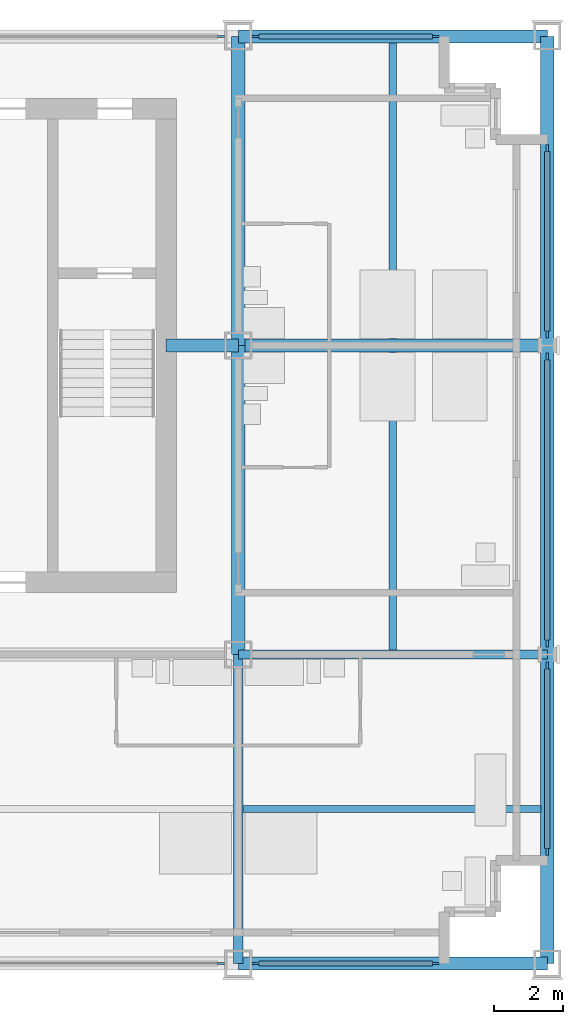
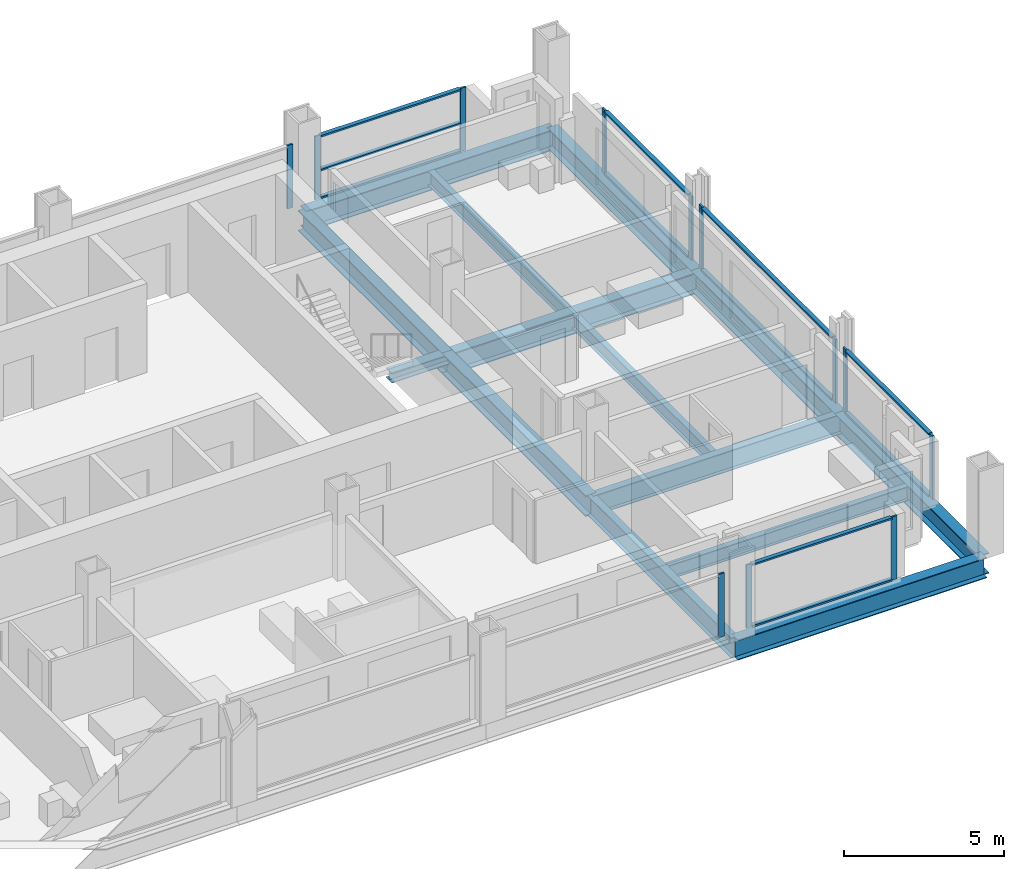
# One storey, part 5 of 13: 24 members, 13 beams, 7 elements without a shape of their own.
"""IFC4 building model written with IfcOpenShell, lengths in metres."""

import ifcopenshell
import ifcopenshell.guid

model = None  # the IFC model being written
_history = None  # IfcOwnerHistory: only IFC2X3 demands one
_inside = {}  # id of a spatial element -> (the spatial element, [elements in it])
_under = {}  # id of a project, library or spatial element -> (it, [spatial elements below it])
_declared = {}  # id of a project -> (the project, [libraries it declares])
_typed = {}  # id of a type object -> (the type object, [elements of that type])
_made_of = {}  # id of a material, layer set ... -> (it, [elements and type objects made of it])


def new_model(schema):
    """Start an empty IFC model of exactly this schema.

    Asked for "IFC4X3", IfcOpenShell would pick the latest addendum, in which some entities
    have other attributes; the version numbers below select the first issue.
    IFC2X3 requires an IfcOwnerHistory on every rooted entity: one is made here for all.
    """
    global model, _history
    if schema == "IFC4X3":
        model = ifcopenshell.file(schema_version=(4, 3, 0, 0))
    else:
        model = ifcopenshell.file(schema=schema)
    _inside.clear()
    _under.clear()
    _declared.clear()
    _typed.clear()
    _made_of.clear()
    _history = None
    if model.schema == "IFC2X3":
        org = make("IfcOrganization", Name="unknown")
        user = make(
            "IfcPersonAndOrganization",
            ThePerson=make("IfcPerson", FamilyName="unknown"),
            TheOrganization=org,
        )
        app = make(
            "IfcApplication",
            ApplicationDeveloper=org,
            Version="unknown",
            ApplicationFullName="unknown",
            ApplicationIdentifier="unknown",
        )
        _history = make(
            "IfcOwnerHistory",
            OwningUser=user,
            OwningApplication=app,
            ChangeAction="ADDED",
            CreationDate=0,
        )
    return model


def make(cls, **values):
    """One entity of the class cls with the attributes given. An attribute that is None is left unset."""
    return model.create_entity(
        cls, **{name: value for name, value in values.items() if value is not None}
    )


def rooted(cls, **values):
    """An entity with a GlobalId (a new one), such as an element, a storey or a relation."""
    return make(cls, GlobalId=ifcopenshell.guid.new(), OwnerHistory=_history, **values)


def si_unit(unit_type, name, prefix=None):
    """IfcSIUnit, for example si_unit("LENGTHUNIT", "METRE", prefix="MILLI")."""
    return make("IfcSIUnit", UnitType=unit_type, Prefix=prefix, Name=name)


def assignment(units):
    """IfcUnitAssignment: the units of a project."""
    return None if units is None else make("IfcUnitAssignment", Units=units)


def point(xyz):
    """IfcCartesianPoint."""
    return None if xyz is None else make("IfcCartesianPoint", Coordinates=xyz)


def direction(xyz):
    """IfcDirection."""
    return None if xyz is None else make("IfcDirection", DirectionRatios=xyz)


def frame(location, z_axis=None, x_axis=None):
    """IfcAxis2Placement3D, a coordinate frame: its origin and axes. An axis left out is left unset."""
    return make(
        "IfcAxis2Placement3D",
        Location=point(location),
        Axis=direction(z_axis),
        RefDirection=direction(x_axis),
    )


def frame_2d(location, x_axis=None):
    """IfcAxis2Placement2D, a coordinate frame in the plane: its origin and x axis."""
    return make(
        "IfcAxis2Placement2D", Location=point(location), RefDirection=direction(x_axis)
    )


def origin():
    """The frame at (0, 0, 0) with its axes left unset."""
    return frame((0.0, 0.0, 0.0))


def origin_2d():
    """The frame at (0, 0) in the plane with its x axis left unset."""
    return frame_2d((0.0, 0.0))


def place(relative_to, where):
    """IfcLocalPlacement: puts the frame where relative to a parent placement (None: the world)."""
    return make(
        "IfcLocalPlacement", PlacementRelTo=relative_to, RelativePlacement=where
    )


def context(
    kind, dimensions, precision=None, world=None, true_north=None, identifier=None
):
    """IfcGeometricRepresentationContext, for example the 3D "Model" context."""
    return make(
        "IfcGeometricRepresentationContext",
        ContextIdentifier=identifier,
        ContextType=kind,
        CoordinateSpaceDimension=dimensions,
        Precision=precision,
        WorldCoordinateSystem=world,
        TrueNorth=true_north,
    )


def subcontext(parent, identifier, kind, view, scale=None):
    """IfcGeometricRepresentationSubContext, for example "Body" below "Model"."""
    return make(
        "IfcGeometricRepresentationSubContext",
        ContextIdentifier=identifier,
        ContextType=kind,
        ParentContext=parent,
        TargetScale=scale,
        TargetView=view,
    )


def project(units=None, contexts=None):
    """IfcProject with its units and contexts."""
    return rooted(
        "IfcProject",
        Name="project",
        RepresentationContexts=contexts,
        UnitsInContext=assignment(units),
    )


def spatial(cls, under=None, at=None, **own):
    """A site, building, storey or space (cls), placed at a placement, below another one or the project."""
    s = rooted(cls, ObjectPlacement=at, **own)
    if under is not None:
        _under.setdefault(under.id(), (under, []))[1].append(s)
    return s


def profile(cls, at=None, kind="AREA", **sizes):
    """A parametric profile (cls). Its sizes go by their IFC names, for example OverallWidth=200.0."""
    return make(cls, ProfileType=kind, Position=at, **sizes)


def rectangle(**sizes):
    """IfcRectangleProfileDef."""
    return profile("IfcRectangleProfileDef", **sizes)


def i_section(**sizes):
    """IfcIShapeProfileDef."""
    return profile("IfcIShapeProfileDef", **sizes)


def extrude(swept, where, along, depth):
    """IfcExtrudedAreaSolid: the profile swept, set in the frame where, extruded along a direction by depth."""
    return make(
        "IfcExtrudedAreaSolid",
        SweptArea=swept,
        Position=where,
        ExtrudedDirection=direction(along),
        Depth=depth,
    )


def shape(context_of_items, identifier, shape_type, items):
    """IfcShapeRepresentation: the items that make up one representation, for example the "Body"."""
    return make(
        "IfcShapeRepresentation",
        ContextOfItems=context_of_items,
        RepresentationIdentifier=identifier,
        RepresentationType=shape_type,
        Items=items,
    )


def material(Name=None, Category=None):
    """IfcMaterial."""
    return make("IfcMaterial", Name=Name, Category=Category)


def material_profile(
    of_material, cross_section, Name=None, Category=None, Priority=None
):
    """IfcMaterialProfile: a cross section and its material."""
    return make(
        "IfcMaterialProfile",
        Name=Name,
        Material=of_material,
        Profile=cross_section,
        Priority=Priority,
        Category=Category,
    )


def profile_set(profiles, Name=None, composite=None):
    """IfcMaterialProfileSet."""
    return make(
        "IfcMaterialProfileSet",
        Name=Name,
        MaterialProfiles=profiles,
        CompositeProfile=composite,
    )


def made_of(thing, what):
    """Note that an element or type object is made of a material, layer set ...; save() writes the relation."""
    if what is not None:
        _made_of.setdefault(what.id(), (what, []))[1].append(thing)
    return thing


def type_object(cls, material=None, **own):
    """A type object (cls), such as IfcWallType, which elements share."""
    return made_of(rooted(cls, **own), material)


def element(
    cls,
    number,
    at=None,
    inside=None,
    cuts=None,
    type_object=None,
    material=None,
    context=None,
    identifier="Body",
    shape_type=None,
    held_by="IfcProductDefinitionShape",
    body=None,
    shapes=None,
    **own,
):
    """One element of the class cls, such as IfcWall. Its Tag is "e" and its number.

    at: its placement. inside: the storey or other place that contains it. cuts: it is an
    opening in that element (IfcRelVoidsElement). A single representation is given by context,
    identifier, shape_type and body (its items); several are given by shapes. held_by: the class
    of the entity that holds the representations. save() writes the other relations.
    """
    e = rooted(cls, Tag="e%d" % number, ObjectPlacement=at, **own)
    if body is not None:
        shapes = [shape(context, identifier, shape_type, body)]
    if shapes is not None:
        e.Representation = make(held_by, Representations=shapes)
    if inside is not None:
        _inside.setdefault(inside.id(), (inside, []))[1].append(e)
    if cuts is not None:
        rooted(
            "IfcRelVoidsElement", RelatingBuildingElement=cuts, RelatedOpeningElement=e
        )
    if type_object is not None:
        _typed.setdefault(type_object.id(), (type_object, []))[1].append(e)
    return made_of(e, material)


def aggregate(whole, parts):
    """IfcRelAggregates: a whole, such as a stair, and the parts it consists of."""
    return rooted("IfcRelAggregates", RelatingObject=whole, RelatedObjects=parts)


def save(model, path):
    """Write the relations noted so far, then the file.

    IfcRelAggregates (storeys below a building ...), IfcRelContainedInSpatialStructure (elements
    in a storey), IfcRelDefinesByType, IfcRelAssociatesMaterial and IfcRelDeclares: one each for
    every whole, place, type object, material and project.
    """
    for whole, parts in _under.values():
        aggregate(whole, parts)
    for where, things in _inside.values():
        rooted(
            "IfcRelContainedInSpatialStructure",
            RelatedElements=things,
            RelatingStructure=where,
        )
    for kind, things in _typed.values():
        rooted("IfcRelDefinesByType", RelatedObjects=things, RelatingType=kind)
    for what, things in _made_of.values():
        rooted("IfcRelAssociatesMaterial", RelatedObjects=things, RelatingMaterial=what)
    for by, libraries in _declared.values():
        rooted("IfcRelDeclares", RelatingContext=by, RelatedDefinitions=libraries)
    model.write(path)


model = new_model("IFC4")

# Units and contexts
model_context = context("Model", 3, precision=1e-05, world=origin(), true_north=direction((0.0, 1.0)))
body_context = subcontext(model_context, "Body", "Model", "MODEL_VIEW")
ifc_project = project(units=[si_unit("LENGTHUNIT", "METRE"), si_unit("AREAUNIT", "SQUARE_METRE"), si_unit("VOLUMEUNIT", "CUBIC_METRE"), si_unit("PLANEANGLEUNIT", "RADIAN"), si_unit("MASSUNIT", "GRAM", prefix="KILO")], contexts=[model_context])

# Site, building, storey
site_placement = place(None, origin())
site = spatial("IfcSite", under=ifc_project, at=site_placement, CompositionType="ELEMENT")
building_placement = place(site_placement, origin())
building = spatial("IfcBuilding", under=site, at=building_placement, Name="Loomwork Tower", CompositionType="ELEMENT")
storey_placement = place(building_placement, frame((0.0, 0.0, 184.199951171875)))
storey = spatial("IfcBuildingStorey", under=building, at=storey_placement, Name="L50", CompositionType="ELEMENT", Elevation=184.199951171875)

# Beams
ifc_material_1 = material(Name="Steel ASTM A992", Category="steel")
ifc_material_profile_1 = material_profile(ifc_material_1, i_section(OverallWidth=0.383544921875, OverallDepth=0.794921875, WebThickness=0.02099609375, FlangeThickness=0.0380859375, at=origin_2d()), Name="W30x235")
ifc_profile_set_1 = profile_set([ifc_material_profile_1], Name="Steel ASTM A992")
beam_type_1 = type_object("IfcBeamType", Name="CORE FLANK GIRDER W30x235", PredefinedType="BEAM", material=ifc_profile_set_1)
for number, where, z_axis, x_axis, name in (
    (1, (36.0, 18.0, -0.597412109375), (1.0, 0.0, 0.0), (0.0, 1.0, 0.0), "Core Flank Girder F/6-F/7 L50"),
    (2, (36.0, 9.0, -0.597412109375), (0.0, 1.0, 0.0), (-1.0, 0.0, 0.0), "Core Flank Girder E/6-F/6 L50"),
    (3, (36.0, 18.0, -0.597412109375), (0.0, 1.0, 0.0), (-1.0, 0.0, 0.0), "Core Flank Girder F/6-G/6 L50"),
):
    element("IfcBeam", number, at=place(storey_placement, frame(where, z_axis=z_axis, x_axis=x_axis)), inside=storey, type_object=beam_type_1, Name=name, PredefinedType="BEAM", context=body_context, shape_type="SweptSolid", body=[
        extrude(i_section(OverallWidth=0.383544921875, OverallDepth=0.794921875, WebThickness=0.02099609375, FlangeThickness=0.0380859375, at=origin_2d()), origin(), (0.0, 0.0, 1.0), 9.0),
    ])

# Member
ifc_material_2 = material(Name="Steel ASTM A992", Category="steel")
ifc_material_profile_2 = material_profile(ifc_material_2, i_section(OverallWidth=0.373291015625, OverallDepth=0.373291015625, WebThickness=0.016357421875, FlangeThickness=0.026123046875, at=origin_2d()), Name="W14x132")
ifc_profile_set_2 = profile_set([ifc_material_profile_2], Name="Steel ASTM A992")
member_type_1 = type_object("IfcMemberType", Name="CORE LINK STRUT W14x132", PredefinedType="STRUT", material=ifc_profile_set_2)
member_1_placement = place(storey_placement, frame((36.0, 18.0, -0.38671875), z_axis=(-1.0, 0.0, 0.0), x_axis=(0.0, -1.0, 0.0)))
element("IfcMember", 4, at=member_1_placement, inside=storey, type_object=member_type_1, Name="Core link strut F/6-33.900,18.000 L50", PredefinedType="STRUT", context=body_context, shape_type="SweptSolid", body=[
    extrude(i_section(OverallWidth=0.373291015625, OverallDepth=0.373291015625, WebThickness=0.016357421875, FlangeThickness=0.026123046875, at=origin_2d()), origin(), (0.0, 0.0, 1.0), 2.10009765625),
])

# Beams
ifc_material_3 = material(Name="Steel ASTM A992", Category="steel")
ifc_material_profile_3 = material_profile(ifc_material_3, i_section(OverallWidth=0.2666015625, OverallDepth=0.761962890625, WebThickness=0.014404296875, FlangeThickness=0.021484375, at=origin_2d()), Name="W30x116")
ifc_profile_set_3 = profile_set([ifc_material_profile_3], Name="Steel ASTM A992")
beam_type_2 = type_object("IfcBeamType", Name="FLOOR GIRDER W30x116", PredefinedType="BEAM", material=ifc_profile_set_3)
for number, where, z_axis, x_axis, name in (
    (5, (36.0, 9.0, -0.5810546875), (1.0, 0.0, 0.0), (0.0, 1.0, 0.0), "Floor Girder E/6-E/7 L50"),
    (6, (36.0, 0.0, -0.5810546875), (0.0, 1.0, 0.0), (-1.0, 0.0, 0.0), "Floor Girder D/6-E/6 L50"),
):
    element("IfcBeam", number, at=place(storey_placement, frame(where, z_axis=z_axis, x_axis=x_axis)), inside=storey, type_object=beam_type_2, Name=name, PredefinedType="BEAM", context=body_context, shape_type="SweptSolid", body=[
        extrude(i_section(OverallWidth=0.2666015625, OverallDepth=0.761962890625, WebThickness=0.014404296875, FlangeThickness=0.021484375, at=origin_2d()), origin(), (0.0, 0.0, 1.0), 9.0),
    ])
ifc_material_4 = material(Name="Steel ASTM A992", Category="steel")
ifc_material_profile_4 = material_profile(ifc_material_4, i_section(OverallWidth=0.2109375, OverallDepth=0.53857421875, WebThickness=0.011474609375, FlangeThickness=0.018798828125, at=origin_2d()), Name="W21x73")
ifc_profile_set_4 = profile_set([ifc_material_profile_4], Name="Steel ASTM A992")
beam_type_3 = type_object("IfcBeamType", Name="FLOOR JOIST W21x73", PredefinedType="JOIST", material=ifc_profile_set_4)
beam_1_placement = place(storey_placement, frame((36.133056640625, 4.5, -0.46923828125), z_axis=(1.0, 0.0, 0.0), x_axis=(0.0, 1.0, 0.0)))
element("IfcBeam", 7, at=beam_1_placement, inside=storey, type_object=beam_type_3, Name="Floor Joist 36.000,4.500-45.000,4.500 L50", PredefinedType="JOIST", context=body_context, shape_type="SweptSolid", body=[
    extrude(i_section(OverallWidth=0.2109375, OverallDepth=0.53857421875, WebThickness=0.011474609375, FlangeThickness=0.018798828125, at=origin_2d()), origin(), (0.0, 0.0, 1.0), 8.677001953125),
])
beam_2_placement = place(storey_placement, frame((40.5, 9.133056640625, -0.46923828125), z_axis=(0.0, 1.0, 0.0), x_axis=(-1.0, 0.0, 0.0)))
element("IfcBeam", 8, at=beam_2_placement, inside=storey, type_object=beam_type_3, Name="Floor Joist 40.500,9.000-40.500,18.000 L50", PredefinedType="JOIST", context=body_context, shape_type="SweptSolid", body=[
    extrude(i_section(OverallWidth=0.2109375, OverallDepth=0.53857421875, WebThickness=0.011474609375, FlangeThickness=0.018798828125, at=origin_2d()), origin(), (0.0, 0.0, 1.0), 8.676025390625),
])
beam_3_placement = place(storey_placement, frame((40.5, 18.19091796875, -0.46923828125), z_axis=(0.0, 1.0, 0.0), x_axis=(-1.0, 0.0, 0.0)))
element("IfcBeam", 9, at=beam_3_placement, inside=storey, type_object=beam_type_3, Name="Floor Joist 40.500,18.000-40.500,27.000 L50", PredefinedType="JOIST", context=body_context, shape_type="SweptSolid", body=[
    extrude(i_section(OverallWidth=0.2109375, OverallDepth=0.53857421875, WebThickness=0.011474609375, FlangeThickness=0.018798828125, at=origin_2d()), origin(), (0.0, 0.0, 1.0), 8.619140625),
])

# Curtain wall, member
ifc_material_5 = material(Name="Aluminium curtain wall frame", Category="aluminium")
curtain_wall_type_1 = type_object("IfcCurtainWallType", Name="Outer skin glazing hotel", PredefinedType="NOTDEFINED", material=ifc_material_5)
curtain_wall_1_placement = place(storey_placement, origin())
curtain_wall_1 = element("IfcCurtainWall", 10, at=curtain_wall_1_placement, inside=storey, type_object=curtain_wall_type_1, Name="Outer skin glazing hotel cw/S-27", PredefinedType="NOTDEFINED")
ifc_material_6 = material(Name="Aluminium curtain wall frame", Category="aluminium")
ifc_material_profile_5 = material_profile(ifc_material_6, rectangle(XDim=0.06494140625, YDim=0.199951171875, at=origin_2d()), Name="AL 65x200")
ifc_profile_set_5 = profile_set([ifc_material_profile_5], Name="Aluminium curtain wall frame")
member_type_2 = type_object("IfcMemberType", Name="Outer skin glazing hotel mullion", PredefinedType="MULLION", material=ifc_profile_set_5)
member_2_placement = place(storey_placement, frame((35.5, 0.0, 0.0), z_axis=(0.0, 0.0, 1.0), x_axis=(0.0, 1.0, 0.0)))
member_2 = element("IfcMember", 11, at=member_2_placement, type_object=member_type_2, Name="CW1 mullion 2", PredefinedType="MULLION", context=body_context, shape_type="SweptSolid", body=[
    extrude(rectangle(XDim=0.06494140625, YDim=0.199951171875, at=origin_2d()), origin(), (0.0, 0.0, 1.0), 2.420166015625),
])
aggregate(curtain_wall_1, [member_2])

# Curtain wall, members
curtain_wall_2_placement = place(storey_placement, origin())
curtain_wall_2 = element("IfcCurtainWall", 12, at=curtain_wall_2_placement, inside=storey, type_object=curtain_wall_type_1, Name="Outer skin glazing hotel cw/S-36", PredefinedType="NOTDEFINED")
member_3_placement = place(storey_placement, frame((36.5, 0.0, 0.0), z_axis=(0.0, 0.0, 1.0), x_axis=(0.0, 1.0, 0.0)))
member_3 = element("IfcMember", 13, at=member_3_placement, type_object=member_type_2, Name="CW1 mullion 1", PredefinedType="MULLION", context=body_context, shape_type="SweptSolid", body=[
    extrude(rectangle(XDim=0.06494140625, YDim=0.199951171875, at=origin_2d()), origin(), (0.0, 0.0, 1.0), 2.420166015625),
])
member_4_placement = place(storey_placement, frame((41.75, 0.0, 0.0), z_axis=(0.0, 0.0, 1.0), x_axis=(0.0, 1.0, 0.0)))
member_4 = element("IfcMember", 14, at=member_4_placement, type_object=member_type_2, Name="CW1 mullion 2", PredefinedType="MULLION", context=body_context, shape_type="SweptSolid", body=[
    extrude(rectangle(XDim=0.06494140625, YDim=0.199951171875, at=origin_2d()), origin(), (0.0, 0.0, 1.0), 2.420166015625),
])

curtain_wall_3_placement = place(storey_placement, origin())
curtain_wall_3 = element("IfcCurtainWall", 15, at=curtain_wall_3_placement, inside=storey, type_object=curtain_wall_type_1, Name="Outer skin glazing hotel cw/E-0", PredefinedType="NOTDEFINED")
member_5_placement = place(storey_placement, frame((45.0, 3.25, 0.0), z_axis=(0.0, 0.0, 1.0), x_axis=(-1.0, 0.0, 0.0)))
member_5 = element("IfcMember", 16, at=member_5_placement, type_object=member_type_2, Name="CW1 mullion 1", PredefinedType="MULLION", context=body_context, shape_type="SweptSolid", body=[
    extrude(rectangle(XDim=0.06494140625, YDim=0.199951171875, at=origin_2d()), origin(), (0.0, 0.0, 1.0), 2.420166015625),
])
member_6_placement = place(storey_placement, frame((45.0, 8.67529296875, 0.0), z_axis=(0.0, 0.0, 1.0), x_axis=(-1.0, 0.0, 0.0)))
member_6 = element("IfcMember", 17, at=member_6_placement, type_object=member_type_2, Name="CW1 mullion 2", PredefinedType="MULLION", context=body_context, shape_type="SweptSolid", body=[
    extrude(rectangle(XDim=0.06494140625, YDim=0.199951171875, at=origin_2d()), origin(), (0.0, 0.0, 1.0), 2.420166015625),
])

curtain_wall_4_placement = place(storey_placement, origin())
curtain_wall_4 = element("IfcCurtainWall", 18, at=curtain_wall_4_placement, inside=storey, type_object=curtain_wall_type_1, Name="Outer skin glazing hotel cw/E-9", PredefinedType="NOTDEFINED")
member_7_placement = place(storey_placement, frame((45.0, 9.32470703125, 0.0), z_axis=(0.0, 0.0, 1.0), x_axis=(-1.0, 0.0, 0.0)))
member_7 = element("IfcMember", 19, at=member_7_placement, type_object=member_type_2, Name="CW1 mullion 1", PredefinedType="MULLION", context=body_context, shape_type="SweptSolid", body=[
    extrude(rectangle(XDim=0.06494140625, YDim=0.199951171875, at=origin_2d()), origin(), (0.0, 0.0, 1.0), 2.420166015625),
])
member_8_placement = place(storey_placement, frame((45.0, 17.67529296875, 0.0), z_axis=(0.0, 0.0, 1.0), x_axis=(-1.0, 0.0, 0.0)))
member_8 = element("IfcMember", 20, at=member_8_placement, type_object=member_type_2, Name="CW1 mullion 2", PredefinedType="MULLION", context=body_context, shape_type="SweptSolid", body=[
    extrude(rectangle(XDim=0.06494140625, YDim=0.199951171875, at=origin_2d()), origin(), (0.0, 0.0, 1.0), 2.420166015625),
])

curtain_wall_5_placement = place(storey_placement, origin())
curtain_wall_5 = element("IfcCurtainWall", 21, at=curtain_wall_5_placement, inside=storey, type_object=curtain_wall_type_1, Name="Outer skin glazing hotel cw/E-18", PredefinedType="NOTDEFINED")
member_9_placement = place(storey_placement, frame((45.0, 18.32470703125, 0.0), z_axis=(0.0, 0.0, 1.0), x_axis=(-1.0, 0.0, 0.0)))
member_9 = element("IfcMember", 22, at=member_9_placement, type_object=member_type_2, Name="CW1 mullion 1", PredefinedType="MULLION", context=body_context, shape_type="SweptSolid", body=[
    extrude(rectangle(XDim=0.06494140625, YDim=0.199951171875, at=origin_2d()), origin(), (0.0, 0.0, 1.0), 2.420166015625),
])
member_10_placement = place(storey_placement, frame((45.0, 23.75, 0.0), z_axis=(0.0, 0.0, 1.0), x_axis=(-1.0, 0.0, 0.0)))
member_10 = element("IfcMember", 23, at=member_10_placement, type_object=member_type_2, Name="CW1 mullion 2", PredefinedType="MULLION", context=body_context, shape_type="SweptSolid", body=[
    extrude(rectangle(XDim=0.06494140625, YDim=0.199951171875, at=origin_2d()), origin(), (0.0, 0.0, 1.0), 2.420166015625),
])

# Member
ifc_material_7 = material(Name="Aluminium curtain wall frame", Category="aluminium")
ifc_material_profile_6 = material_profile(ifc_material_7, rectangle(XDim=0.14990234375, YDim=0.06494140625, at=origin_2d()), Name="AL 65x150")
ifc_profile_set_6 = profile_set([ifc_material_profile_6], Name="Aluminium curtain wall frame")
member_type_3 = type_object("IfcMemberType", Name="Outer skin glazing hotel transom", PredefinedType="USERDEFINED", material=ifc_profile_set_6)
member_11_placement = place(storey_placement, frame((36.60009765625, 0.0, 0.032470703125), z_axis=(1.0, 0.0, 0.0), x_axis=(0.0, 1.0, 0.0)))
member_11 = element("IfcMember", 24, at=member_11_placement, type_object=member_type_3, Name="CW1 transom 1.1", ObjectType="TRANSOM", PredefinedType="USERDEFINED", context=body_context, shape_type="SweptSolid", body=[
    extrude(rectangle(XDim=0.14990234375, YDim=0.06494140625, at=origin_2d()), origin(), (0.0, 0.0, 1.0), 5.0498046875),
])

member_12_placement = place(storey_placement, frame((36.60009765625, 0.0, 2.3876953125), z_axis=(1.0, 0.0, 0.0), x_axis=(0.0, 1.0, 0.0)))
member_12 = element("IfcMember", 25, at=member_12_placement, type_object=member_type_3, Name="CW1 transom 1.2", ObjectType="TRANSOM", PredefinedType="USERDEFINED", context=body_context, shape_type="SweptSolid", body=[
    extrude(rectangle(XDim=0.14990234375, YDim=0.06494140625, at=origin_2d()), origin(), (0.0, 0.0, 1.0), 5.0498046875),
])

aggregate(curtain_wall_2, [member_3, member_4, member_11, member_12])

member_13_placement = place(storey_placement, frame((45.0, 3.35009765625, 0.032470703125), z_axis=(0.0, 1.0, 0.0), x_axis=(-1.0, 0.0, 0.0)))
member_13 = element("IfcMember", 26, at=member_13_placement, type_object=member_type_3, Name="CW1 transom 1.1", ObjectType="TRANSOM", PredefinedType="USERDEFINED", context=body_context, shape_type="SweptSolid", body=[
    extrude(rectangle(XDim=0.14990234375, YDim=0.06494140625, at=origin_2d()), origin(), (0.0, 0.0, 1.0), 5.22509765625),
])

member_14_placement = place(storey_placement, frame((45.0, 3.35009765625, 2.3876953125), z_axis=(0.0, 1.0, 0.0), x_axis=(-1.0, 0.0, 0.0)))
member_14 = element("IfcMember", 27, at=member_14_placement, type_object=member_type_3, Name="CW1 transom 1.2", ObjectType="TRANSOM", PredefinedType="USERDEFINED", context=body_context, shape_type="SweptSolid", body=[
    extrude(rectangle(XDim=0.14990234375, YDim=0.06494140625, at=origin_2d()), origin(), (0.0, 0.0, 1.0), 5.22509765625),
])

aggregate(curtain_wall_3, [member_5, member_6, member_13, member_14])

member_15_placement = place(storey_placement, frame((45.0, 9.4248046875, 0.032470703125), z_axis=(0.0, 1.0, 0.0), x_axis=(-1.0, 0.0, 0.0)))
member_15 = element("IfcMember", 28, at=member_15_placement, type_object=member_type_3, Name="CW1 transom 1.1", ObjectType="TRANSOM", PredefinedType="USERDEFINED", context=body_context, shape_type="SweptSolid", body=[
    extrude(rectangle(XDim=0.14990234375, YDim=0.06494140625, at=origin_2d()), origin(), (0.0, 0.0, 1.0), 8.150390625),
])

member_16_placement = place(storey_placement, frame((45.0, 9.4248046875, 2.3876953125), z_axis=(0.0, 1.0, 0.0), x_axis=(-1.0, 0.0, 0.0)))
member_16 = element("IfcMember", 29, at=member_16_placement, type_object=member_type_3, Name="CW1 transom 1.2", ObjectType="TRANSOM", PredefinedType="USERDEFINED", context=body_context, shape_type="SweptSolid", body=[
    extrude(rectangle(XDim=0.14990234375, YDim=0.06494140625, at=origin_2d()), origin(), (0.0, 0.0, 1.0), 8.150390625),
])

aggregate(curtain_wall_4, [member_7, member_8, member_15, member_16])

member_17_placement = place(storey_placement, frame((45.0, 18.4248046875, 0.032470703125), z_axis=(0.0, 1.0, 0.0), x_axis=(-1.0, 0.0, 0.0)))
member_17 = element("IfcMember", 30, at=member_17_placement, type_object=member_type_3, Name="CW1 transom 1.1", ObjectType="TRANSOM", PredefinedType="USERDEFINED", context=body_context, shape_type="SweptSolid", body=[
    extrude(rectangle(XDim=0.14990234375, YDim=0.06494140625, at=origin_2d()), origin(), (0.0, 0.0, 1.0), 5.22509765625),
])

member_18_placement = place(storey_placement, frame((45.0, 18.4248046875, 2.3876953125), z_axis=(0.0, 1.0, 0.0), x_axis=(-1.0, 0.0, 0.0)))
member_18 = element("IfcMember", 31, at=member_18_placement, type_object=member_type_3, Name="CW1 transom 1.2", ObjectType="TRANSOM", PredefinedType="USERDEFINED", context=body_context, shape_type="SweptSolid", body=[
    extrude(rectangle(XDim=0.14990234375, YDim=0.06494140625, at=origin_2d()), origin(), (0.0, 0.0, 1.0), 5.22509765625),
])

aggregate(curtain_wall_5, [member_9, member_10, member_17, member_18])

# Beams
ifc_material_8 = material(Name="Steel ASTM A992", Category="steel")
ifc_material_profile_7 = material_profile(ifc_material_8, i_section(OverallWidth=0.381103515625, OverallDepth=0.77978515625, WebThickness=0.01806640625, FlangeThickness=0.0302734375, at=origin_2d()), Name="W30x191")
ifc_profile_set_7 = profile_set([ifc_material_profile_7], Name="Steel ASTM A992")
beam_type_4 = type_object("IfcBeamType", Name="SPANDREL GIRDER W30x191", PredefinedType="SPANDREL", material=ifc_profile_set_7)
for number, where, z_axis, x_axis, name in (
    (32, (36.0, 0.0, -0.58984375), (1.0, 0.0, 0.0), (0.0, 1.0, 0.0), "Spandrel Girder D/6-D/7 L50"),
    (33, (36.0, 27.0, -0.58984375), (1.0, 0.0, 0.0), (0.0, 1.0, 0.0), "Spandrel Girder G/6-G/7 L50"),
    (34, (45.0, 0.0, -0.58984375), (0.0, 1.0, 0.0), (-1.0, 0.0, 0.0), "Spandrel Girder D/7-E/7 L50"),
    (35, (45.0, 9.0, -0.58984375), (0.0, 1.0, 0.0), (-1.0, 0.0, 0.0), "Spandrel Girder E/7-F/7 L50"),
    (36, (45.0, 18.0, -0.58984375), (0.0, 1.0, 0.0), (-1.0, 0.0, 0.0), "Spandrel Girder F/7-G/7 L50"),
):
    element("IfcBeam", number, at=place(storey_placement, frame(where, z_axis=z_axis, x_axis=x_axis)), inside=storey, type_object=beam_type_4, Name=name, PredefinedType="SPANDREL", context=body_context, shape_type="SweptSolid", body=[
        extrude(i_section(OverallWidth=0.381103515625, OverallDepth=0.77978515625, WebThickness=0.01806640625, FlangeThickness=0.0302734375, at=origin_2d()), origin(), (0.0, 0.0, 1.0), 9.0),
    ])

# Curtain wall, member
ifc_material_9 = material(Name="Aluminium curtain wall frame", Category="aluminium")
curtain_wall_type_2 = type_object("IfcCurtainWallType", Name="Single skin glazing corridor", PredefinedType="NOTDEFINED", material=ifc_material_9)
curtain_wall_6_placement = place(storey_placement, origin())
curtain_wall_6 = element("IfcCurtainWall", 37, at=curtain_wall_6_placement, inside=storey, type_object=curtain_wall_type_2, Name="Single skin glazing corridor cw/N-27", PredefinedType="NOTDEFINED")
ifc_material_10 = material(Name="Aluminium curtain wall frame", Category="aluminium")
ifc_material_profile_8 = material_profile(ifc_material_10, rectangle(XDim=0.06494140625, YDim=0.199951171875, at=origin_2d()), Name="AL 65x200")
ifc_profile_set_8 = profile_set([ifc_material_profile_8], Name="Aluminium curtain wall frame")
member_type_4 = type_object("IfcMemberType", Name="Single skin glazing corridor mullion", PredefinedType="MULLION", material=ifc_profile_set_8)
member_19_placement = place(storey_placement, frame((35.5, 27.0, 0.0), z_axis=(0.0, 0.0, 1.0), x_axis=(0.0, -1.0, 0.0)))
member_19 = element("IfcMember", 38, at=member_19_placement, type_object=member_type_4, Name="CW3 mullion 1", PredefinedType="MULLION", context=body_context, shape_type="SweptSolid", body=[
    extrude(rectangle(XDim=0.06494140625, YDim=0.199951171875, at=origin_2d()), origin(), (0.0, 0.0, 1.0), 2.420166015625),
])
aggregate(curtain_wall_6, [member_19])

# Curtain wall, members
curtain_wall_7_placement = place(storey_placement, origin())
curtain_wall_7 = element("IfcCurtainWall", 39, at=curtain_wall_7_placement, inside=storey, type_object=curtain_wall_type_2, Name="Single skin glazing corridor cw/N-36", PredefinedType="NOTDEFINED")
member_20_placement = place(storey_placement, frame((41.75, 27.0, 0.0), z_axis=(0.0, 0.0, 1.0), x_axis=(0.0, -1.0, 0.0)))
member_20 = element("IfcMember", 40, at=member_20_placement, type_object=member_type_4, Name="CW3 mullion 1", PredefinedType="MULLION", context=body_context, shape_type="SweptSolid", body=[
    extrude(rectangle(XDim=0.06494140625, YDim=0.199951171875, at=origin_2d()), origin(), (0.0, 0.0, 1.0), 2.420166015625),
])
member_21_placement = place(storey_placement, frame((36.5, 27.0, 0.0), z_axis=(0.0, 0.0, 1.0), x_axis=(0.0, -1.0, 0.0)))
member_21 = element("IfcMember", 41, at=member_21_placement, type_object=member_type_4, Name="CW3 mullion 2", PredefinedType="MULLION", context=body_context, shape_type="SweptSolid", body=[
    extrude(rectangle(XDim=0.06494140625, YDim=0.199951171875, at=origin_2d()), origin(), (0.0, 0.0, 1.0), 2.420166015625),
])
ifc_material_11 = material(Name="Aluminium curtain wall frame", Category="aluminium")
ifc_material_profile_9 = material_profile(ifc_material_11, rectangle(XDim=0.14990234375, YDim=0.06494140625, at=origin_2d()), Name="AL 65x150")
ifc_profile_set_9 = profile_set([ifc_material_profile_9], Name="Aluminium curtain wall frame")
member_type_5 = type_object("IfcMemberType", Name="Single skin glazing corridor transom", PredefinedType="USERDEFINED", material=ifc_profile_set_9)
member_22_placement = place(storey_placement, frame((41.64990234375, 27.0, 0.032470703125), z_axis=(-1.0, 0.0, 0.0), x_axis=(0.0, -1.0, 0.0)))
member_22 = element("IfcMember", 42, at=member_22_placement, type_object=member_type_5, Name="CW3 transom 1.1", ObjectType="TRANSOM", PredefinedType="USERDEFINED", context=body_context, shape_type="SweptSolid", body=[
    extrude(rectangle(XDim=0.14990234375, YDim=0.06494140625, at=origin_2d()), origin(), (0.0, 0.0, 1.0), 5.0498046875),
])
member_23_placement = place(storey_placement, frame((41.64990234375, 27.0, 1.10009765625), z_axis=(-1.0, 0.0, 0.0), x_axis=(0.0, -1.0, 0.0)))
member_23 = element("IfcMember", 43, at=member_23_placement, type_object=member_type_5, Name="CW3 transom 1.2", ObjectType="TRANSOM", PredefinedType="USERDEFINED", context=body_context, shape_type="SweptSolid", body=[
    extrude(rectangle(XDim=0.14990234375, YDim=0.06494140625, at=origin_2d()), origin(), (0.0, 0.0, 1.0), 5.0498046875),
])
member_24_placement = place(storey_placement, frame((41.64990234375, 27.0, 2.3876953125), z_axis=(-1.0, 0.0, 0.0), x_axis=(0.0, -1.0, 0.0)))
member_24 = element("IfcMember", 44, at=member_24_placement, type_object=member_type_5, Name="CW3 transom 1.3", ObjectType="TRANSOM", PredefinedType="USERDEFINED", context=body_context, shape_type="SweptSolid", body=[
    extrude(rectangle(XDim=0.14990234375, YDim=0.06494140625, at=origin_2d()), origin(), (0.0, 0.0, 1.0), 5.0498046875),
])
aggregate(curtain_wall_7, [member_20, member_21, member_22, member_23, member_24])

save(model, "model.ifc")
